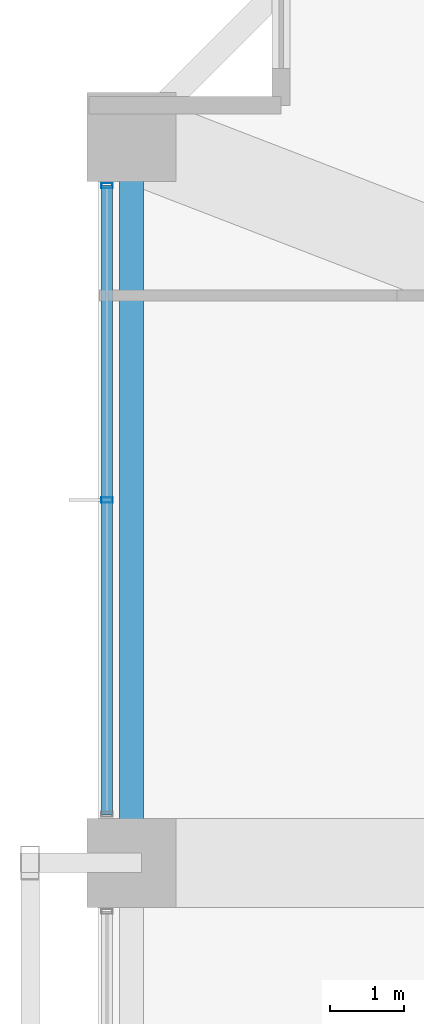
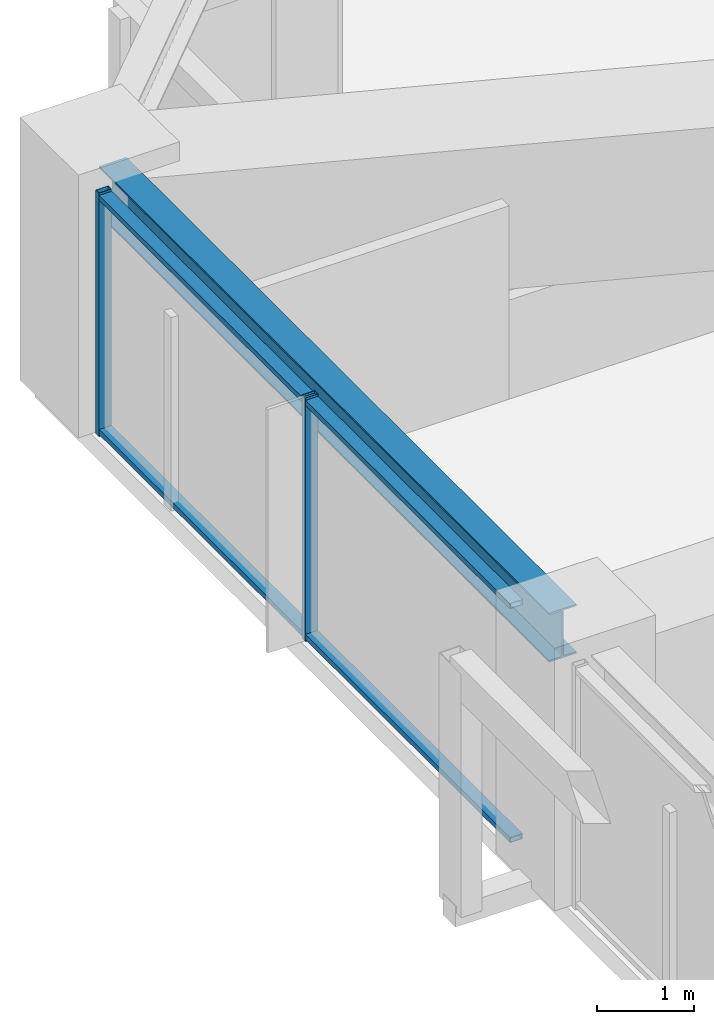
# One storey, part 16 of 37: 4 members, 1 beam, 1 element without a shape of its own.
"""IFC4 building model written with IfcOpenShell, lengths in metres."""

from ifc_helpers import new_model, si_unit, direction, frame, origin, origin_2d, place, context, subcontext, project, spatial, hollow_rectangle, i_section, extrude, material, material_profile, profile_set, type_object, element, aggregate, save


model = new_model("IFC4")

# Units and contexts
model_context = context("Model", 3, precision=1e-05, world=origin(), true_north=direction((0.0, 1.0)))
body_context = subcontext(model_context, "Body", "Model", "MODEL_VIEW")
ifc_project = project(units=[si_unit("LENGTHUNIT", "METRE"), si_unit("AREAUNIT", "SQUARE_METRE"), si_unit("VOLUMEUNIT", "CUBIC_METRE"), si_unit("PLANEANGLEUNIT", "RADIAN"), si_unit("MASSUNIT", "GRAM", prefix="KILO")], contexts=[model_context])

# Site, building, storey
site_placement = place(None, origin())
site = spatial("IfcSite", under=ifc_project, at=site_placement, CompositionType="ELEMENT")
building_placement = place(site_placement, origin())
building = spatial("IfcBuilding", under=site, at=building_placement, Name="Kolvaren Belvedere", CompositionType="ELEMENT")
storey_placement = place(building_placement, frame((0.0, 0.0, 56.800048828125)))
storey = spatial("IfcBuildingStorey", under=building, at=storey_placement, Name="L16", CompositionType="ELEMENT", Elevation=56.800048828125)

# Beam
ifc_material_1 = material(Name="Structural steel ASTM A992 Grade 50", Category="steel")
ifc_material_profile_1 = material_profile(ifc_material_1, i_section(OverallWidth=0.324951171875, OverallDepth=0.615966796875, WebThickness=0.013916015625, FlangeThickness=0.021484375, FilletRadius=0.02001953125, at=origin_2d()), Name="W24X117")
ifc_profile_set_1 = profile_set([ifc_material_profile_1], Name="Structural steel ASTM A992 Grade 50")
beam_type = type_object("IfcBeamType", Name="BM-SPAN-W24X117", PredefinedType="SPANDREL", material=ifc_profile_set_1)
beam_placement = place(storey_placement, frame((-21.550048828125, 14.1298828125, 2.751953125), z_axis=(0.0, -1.0, 0.0), x_axis=(1.0, 0.0, 0.0)))
element("IfcBeam", 1, at=beam_placement, inside=storey, type_object=beam_type, Name="L16 Perimeter Spandrel W4-W3", PredefinedType="SPANDREL", context=body_context, shape_type="SweptSolid", body=[
    extrude(i_section(OverallWidth=0.324951171875, OverallDepth=0.615966796875, WebThickness=0.013916015625, FlangeThickness=0.021484375, FilletRadius=0.02001953125, at=origin_2d()), origin(), (0.0, 0.0, 1.0), 9.259765625),
])

# Curtain wall, members
ifc_material_2 = material(Name="Anodised pale-metal aluminium AA 6063-T6", Category="aluminium")
curtain_wall_type = type_object("IfcCurtainWallType", Name="CW-Z1-LOW", PredefinedType="NOTDEFINED", material=ifc_material_2)
curtain_wall_placement = place(storey_placement, origin())
curtain_wall = element("IfcCurtainWall", 2, at=curtain_wall_placement, inside=storey, type_object=curtain_wall_type, Name="L16 Unitised Curtain Wall FCW-L16-W-B3", PredefinedType="NOTDEFINED")
ifc_material_3 = material(Name="Anodised pale-metal aluminium AA 6063-T6", Category="aluminium")
ifc_material_profile_2 = material_profile(ifc_material_3, hollow_rectangle(XDim=0.070068359375, YDim=0.14990234375, WallThickness=0.004150390625, at=origin_2d()), Name="ALU-MUL-150X70")
ifc_profile_set_2 = profile_set([ifc_material_profile_2], Name="Anodised pale-metal aluminium AA 6063-T6")
member_type_1 = type_object("IfcMemberType", Name="CW-MUL-150", PredefinedType="MULLION", material=ifc_profile_set_2)
member_1_placement = place(storey_placement, frame((-21.8798828125, 9.5, 0.0), z_axis=(0.0, 0.0, 1.0), x_axis=(0.0, 1.0, 0.0)))
member_1 = element("IfcMember", 3, at=member_1_placement, type_object=member_type_1, Name="FCW-L16-W-B3 Unitised Mullion 2", PredefinedType="MULLION", context=body_context, shape_type="SweptSolid", body=[
    extrude(hollow_rectangle(XDim=0.070068359375, YDim=0.14990234375, WallThickness=0.004150390625, at=origin_2d()), origin(), (0.0, 0.0, 1.0), 3.06005859375),
])
member_2_placement = place(storey_placement, frame((-21.8798828125, 13.7451171875, 0.0), z_axis=(0.0, 0.0, 1.0), x_axis=(0.0, 1.0, 0.0)))
member_2 = element("IfcMember", 4, at=member_2_placement, type_object=member_type_1, Name="FCW-L16-W-B3 Unitised Mullion 3", PredefinedType="MULLION", context=body_context, shape_type="SweptSolid", body=[
    extrude(hollow_rectangle(XDim=0.070068359375, YDim=0.14990234375, WallThickness=0.004150390625, at=origin_2d()), origin(), (0.0, 0.0, 1.0), 3.06005859375),
])
ifc_material_4 = material(Name="Anodised pale-metal aluminium AA 6063-T6", Category="aluminium")
ifc_material_profile_3 = material_profile(ifc_material_4, hollow_rectangle(XDim=0.06494140625, YDim=0.14990234375, WallThickness=0.00390625, at=origin_2d()), Name="ALU-TRN-150X65")
ifc_profile_set_3 = profile_set([ifc_material_profile_3], Name="Anodised pale-metal aluminium AA 6063-T6")
member_type_2 = type_object("IfcMemberType", Name="CW-TRN-150", PredefinedType="USERDEFINED", material=ifc_profile_set_3)
member_3_placement = place(storey_placement, frame((-21.8798828125, 5.2548828125, 0.06005859375), z_axis=(0.0, 1.0, 0.0), x_axis=(0.0, 0.0, 1.0)))
member_3 = element("IfcMember", 5, at=member_3_placement, type_object=member_type_2, Name="FCW-L16-W-B3 Sill Transom", ObjectType="TRANSOM", PredefinedType="USERDEFINED", context=body_context, shape_type="SweptSolid", body=[
    extrude(hollow_rectangle(XDim=0.06494140625, YDim=0.14990234375, WallThickness=0.00390625, at=origin_2d()), origin(), (0.0, 0.0, 1.0), 8.490234375),
])
member_4_placement = place(storey_placement, frame((-21.8798828125, 5.2548828125, 3.0), z_axis=(0.0, 1.0, 0.0), x_axis=(0.0, 0.0, 1.0)))
member_4 = element("IfcMember", 6, at=member_4_placement, type_object=member_type_2, Name="FCW-L16-W-B3 Head Transom", ObjectType="TRANSOM", PredefinedType="USERDEFINED", context=body_context, shape_type="SweptSolid", body=[
    extrude(hollow_rectangle(XDim=0.06494140625, YDim=0.14990234375, WallThickness=0.00390625, at=origin_2d()), origin(), (0.0, 0.0, 1.0), 8.490234375),
])
aggregate(curtain_wall, [member_1, member_2, member_3, member_4])

save(model, "model.ifc")
